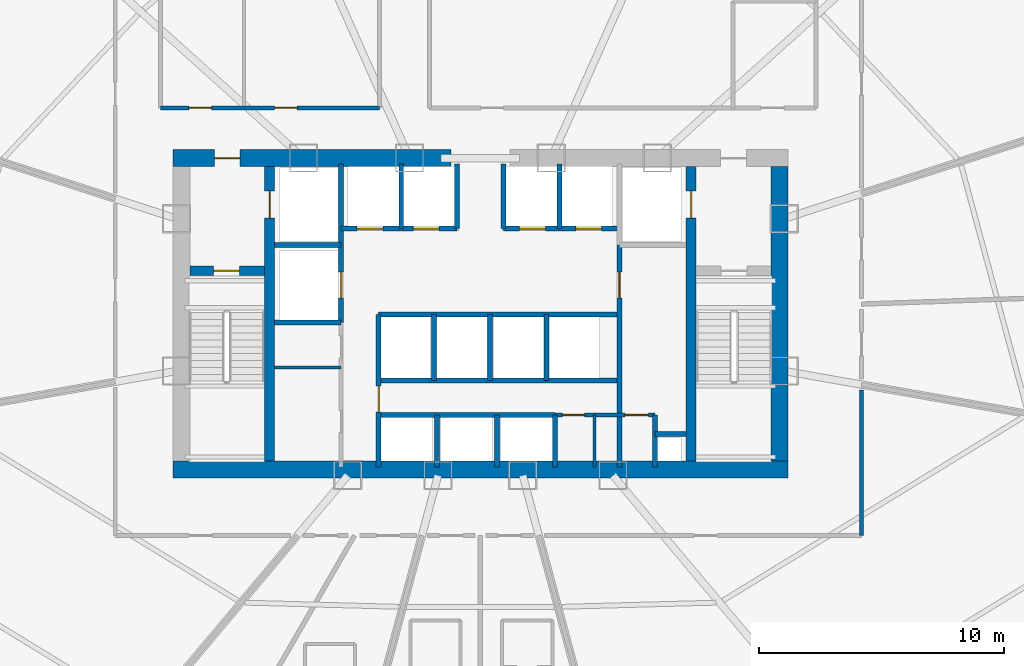
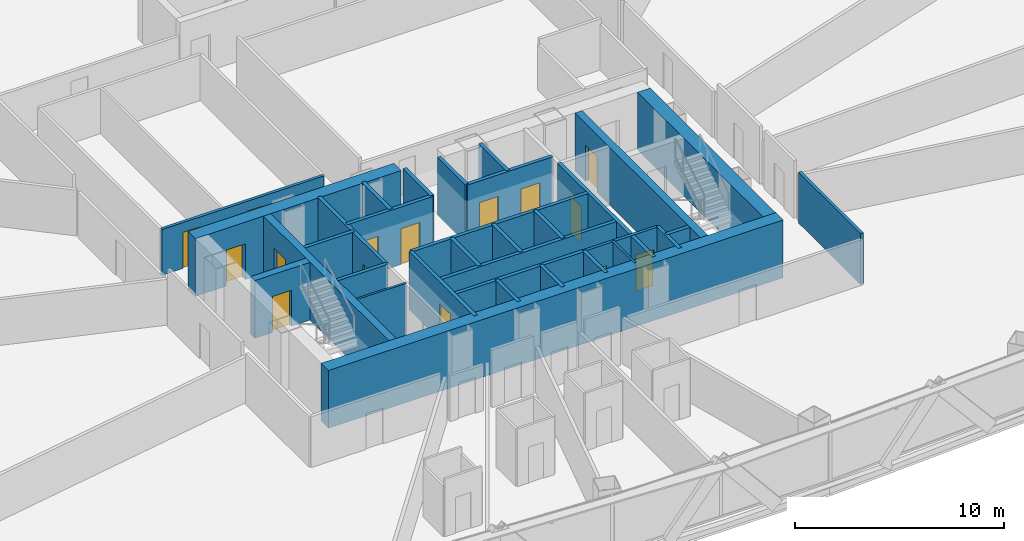
# One storey, part 33 of 40: 33 walls, 15 doors, 15 openings.
"""IFC4 building model written with IfcOpenShell, lengths in metres."""

from ifc_helpers import new_model, si_unit, direction, frame, frame_2d, origin, origin_with_axes, place, context, subcontext, project, spatial, rectangle, extrude, source, transform, mapped, material, layer, layer_set, type_object, element, fill, save


model = new_model("IFC4")

# Units and contexts
model_context = context("Model", 3, precision=1e-05, world=origin(), true_north=direction((0.0, 1.0)))
body_context = subcontext(model_context, "Body", "Model", "MODEL_VIEW")
ifc_project = project(units=[si_unit("LENGTHUNIT", "METRE"), si_unit("AREAUNIT", "SQUARE_METRE"), si_unit("VOLUMEUNIT", "CUBIC_METRE"), si_unit("PLANEANGLEUNIT", "RADIAN"), si_unit("MASSUNIT", "GRAM", prefix="KILO"), si_unit("THERMODYNAMICTEMPERATUREUNIT", "KELVIN"), si_unit("POWERUNIT", "WATT")], contexts=[model_context])

# Site, building, storey
site_placement = place(None, origin())
site = spatial("IfcSite", under=ifc_project, at=site_placement, CompositionType="ELEMENT")
building_placement = place(site_placement, origin())
building = spatial("IfcBuilding", under=site, at=building_placement, Name="Yunzhuo Pagoda Commons", CompositionType="ELEMENT")
storey_placement = place(building_placement, frame((0.0, 0.0, 66.699951171875)))
storey = spatial("IfcBuildingStorey", under=building, at=storey_placement, Name="L17", CompositionType="ELEMENT", Elevation=66.699951171875)

# Wall
ifc_material_1 = material(Name="Concrete C60", Category="concrete")
ifc_layer_1 = layer(ifc_material_1, 0.699951171875)
ifc_layer_set_1 = layer_set([ifc_layer_1], Name="Concrete C60")
wall_type_1 = type_object("IfcWallType", Name="W-C01 Lower Core Shear Wall 700", PredefinedType="SHEAR", material=ifc_layer_set_1)
wall_1_placement = place(storey_placement, frame((35.449951171875, 27.5, 0.0), z_axis=(0.0, 0.0, 1.0), x_axis=(1.0, 0.0, 0.0)))
element("IfcWall", 1, at=wall_1_placement, inside=storey, type_object=wall_type_1, Name="L17 core shear wall S", PredefinedType="SHEAR", context=body_context, shape_type="SweptSolid", body=[
    extrude(rectangle(XDim=25.10009765625, YDim=0.699951171875, at=frame_2d((12.550048828125, 0.0))), origin(), (0.0, 0.0, 1.0), 3.3701171875),
])

# Wall, opening, door
wall_2_placement = place(storey_placement, frame((35.449951171875, 40.199951171875, 0.0), z_axis=(0.0, 0.0, 1.0), x_axis=(1.0, 0.0, 0.0)))
wall_2 = element("IfcWall", 2, at=wall_2_placement, inside=storey, type_object=wall_type_1, Name="L17 core shear wall NW", PredefinedType="SHEAR", context=body_context, shape_type="SweptSolid", body=[
    extrude(rectangle(XDim=11.35009765625, YDim=0.699951171875, at=frame_2d((5.675048828125, 0.0))), origin(), (0.0, 0.0, 1.0), 3.3701171875),
])
opening_1_placement = place(wall_2_placement, frame((1.699951171875, 0.0, 0.0)))
opening_1 = element("IfcOpeningElement", 3, at=opening_1_placement, cuts=wall_2, Name="Opening D-02", PredefinedType="OPENING", context=body_context, shape_type="SweptSolid", body=[
    extrude(rectangle(XDim=1.050048828125, YDim=2.10009765625, at=frame_2d((0.52490234375, 1.050048828125))), frame((0.0, 0.35986328125, 0.0), z_axis=(0.0, -1.0, 0.0), x_axis=(1.0, 0.0, 0.0)), (0.0, 0.0, 1.0), 0.719970703125),
])
ifc_material_2 = material(Name="Galvanized fire-resisting metal leaf")
door_type_1 = type_object("IfcDoorType", Name="D-02 Firefighting Lobby & Refuge Fire Door 1050x2100", OperationType="NOTDEFINED", PredefinedType="DOOR", material=ifc_material_2)
shared_shape_1 = source(origin(), body_context, "Body", "SweptSolid", [
    extrude(rectangle(XDim=1.050048828125, YDim=2.10009765625, at=frame_2d((0.52490234375, 1.050048828125))), frame((0.0, 0.02490234375, 0.0), z_axis=(0.0, -1.0, 0.0), x_axis=(1.0, 0.0, 0.0)), (0.0, 0.0, 1.0), 0.050048828125),
])
door_1_placement = place(opening_1_placement, frame((1.050048828125, 0.0, 0.0), z_axis=(0.0, 0.0, 1.0), x_axis=(-1.0, 0.0, 0.0)))
door_1 = element("IfcDoor", 4, at=door_1_placement, inside=storey, type_object=door_type_1, Name="L17 Firefighting Lobby 1 fire door", OperationType="SINGLE_SWING_LEFT", OverallHeight=2.10009765625, OverallWidth=1.050048828125, PredefinedType="DOOR", context=body_context, shape_type="MappedRepresentation", body=[
    mapped(shared_shape_1, transform((0.0, 0.0, 0.0), scale=1.0)),
])
fill(opening_1, door_1)

# Wall
wall_3_placement = place(storey_placement, frame((60.199951171875, 27.85009765625, 0.0), z_axis=(0.0, 0.0, 1.0), x_axis=(0.0, 1.0, 0.0)))
element("IfcWall", 5, at=wall_3_placement, inside=storey, type_object=wall_type_1, Name="L17 core shear wall E", PredefinedType="SHEAR", context=body_context, shape_type="SweptSolid", body=[
    extrude(rectangle(XDim=12.0, YDim=0.699951171875, at=frame_2d((6.0, 0.0))), origin(), (0.0, 0.0, 1.0), 3.3701171875),
])

# Wall, openings, doors
ifc_material_3 = material(Name="Gypsum plasterboard on acoustic stud")
ifc_layer_2 = layer(ifc_material_3, 0.159912109375)
ifc_layer_set_2 = layer_set([ifc_layer_2], Name="Gypsum plasterboard on acoustic stud")
wall_type_2 = type_object("IfcWallType", Name="W-COR1 Tower Rated Corridor Wall 160", PredefinedType="PARTITIONING", material=ifc_layer_set_2)
wall_4_placement = place(storey_placement, frame((51.050048828125, 29.719970703125, 0.0), z_axis=(0.0, 0.0, 1.0), x_axis=(1.0, 0.0, 0.0)))
wall_4 = element("IfcWall", 6, at=wall_4_placement, inside=storey, type_object=wall_type_2, Name="L17 interior wall IW-L17-CSES", PredefinedType="PARTITIONING", context=body_context, shape_type="SweptSolid", body=[
    extrude(rectangle(XDim=4.070068359375, YDim=0.159912109375, at=frame_2d((2.03515625, 0.0))), origin(), (0.0, 0.0, 1.0), 3.3701171875),
])
opening_2_placement = place(wall_4_placement, frame((0.300048828125, 0.0, 0.0)))
opening_2 = element("IfcOpeningElement", 7, at=opening_2_placement, cuts=wall_4, Name="Opening D-03", PredefinedType="OPENING", context=body_context, shape_type="SweptSolid", body=[
    extrude(rectangle(XDim=0.89990234375, YDim=2.10009765625, at=frame_2d((0.449951171875, 1.050048828125))), frame((0.0, 0.08984375, 0.0), z_axis=(0.0, -1.0, 0.0), x_axis=(1.0, 0.0, 0.0)), (0.0, 0.0, 1.0), 0.179931640625),
])
opening_3_placement = place(wall_4_placement, frame((2.860107421875, 0.0, 0.0)))
opening_3 = element("IfcOpeningElement", 8, at=opening_3_placement, cuts=wall_4, Name="Opening D-11", PredefinedType="OPENING", context=body_context, shape_type="SweptSolid", body=[
    extrude(rectangle(XDim=0.93994140625, YDim=2.10009765625, at=frame_2d((0.469970703125, 1.050048828125))), frame((0.0, 0.08984375, 0.0), z_axis=(0.0, -1.0, 0.0), x_axis=(1.0, 0.0, 0.0)), (0.0, 0.0, 1.0), 0.179931640625),
])
door_type_2 = type_object("IfcDoorType", Name="D-03 Core Service Fire Door 900x2100", OperationType="NOTDEFINED", PredefinedType="DOOR", material=ifc_material_2)
shared_shape_2 = source(origin(), body_context, "Body", "SweptSolid", [
    extrude(rectangle(XDim=0.89990234375, YDim=2.10009765625, at=frame_2d((0.449951171875, 1.050048828125))), frame((0.0, 0.02490234375, 0.0), z_axis=(0.0, -1.0, 0.0), x_axis=(1.0, 0.0, 0.0)), (0.0, 0.0, 1.0), 0.050048828125),
])
door_2_placement = place(opening_2_placement, origin_with_axes())
door_2 = element("IfcDoor", 9, at=door_2_placement, inside=storey, type_object=door_type_2, Name="L17 cleaner door", OperationType="SINGLE_SWING_LEFT", OverallHeight=2.10009765625, OverallWidth=0.89990234375, PredefinedType="DOOR", context=body_context, shape_type="MappedRepresentation", body=[
    mapped(shared_shape_2, transform((0.0, 0.0, 0.0), scale=1.0)),
])
fill(opening_2, door_2)
door_type_3 = type_object("IfcDoorType", Name="D-11 Accessible Washroom Fire Door 940x2100", OperationType="NOTDEFINED", PredefinedType="DOOR", material=ifc_material_2)
shared_shape_3 = source(origin(), body_context, "Body", "SweptSolid", [
    extrude(rectangle(XDim=0.93994140625, YDim=2.10009765625, at=frame_2d((0.469970703125, 1.050048828125))), frame((0.0, 0.02490234375, 0.0), z_axis=(0.0, -1.0, 0.0), x_axis=(1.0, 0.0, 0.0)), (0.0, 0.0, 1.0), 0.050048828125),
])
door_3_placement = place(opening_3_placement, origin_with_axes())
door_3 = element("IfcDoor", 10, at=door_3_placement, inside=storey, type_object=door_type_3, Name="L17 core WC door", OperationType="SINGLE_SWING_RIGHT", OverallHeight=2.10009765625, OverallWidth=0.93994140625, PredefinedType="DOOR", context=body_context, shape_type="MappedRepresentation", body=[
    mapped(shared_shape_3, transform((0.0, 0.0, 0.0), scale=1.0)),
])
fill(opening_3, door_3)

wall_5_placement = place(storey_placement, frame((34.949951171875, 42.25, 0.0), z_axis=(0.0, 0.0, 1.0), x_axis=(1.0, 0.0, 0.0)))
wall_5 = element("IfcWall", 11, at=wall_5_placement, inside=storey, type_object=wall_type_2, Name="L17 interior wall IW-L17-ISLWS", PredefinedType="PARTITIONING", context=body_context, shape_type="SweptSolid", body=[
    extrude(rectangle(XDim=8.929931640625, YDim=0.159912109375, at=frame_2d((4.46484375, 0.0))), origin(), (0.0, 0.0, 1.0), 2.670166015625),
])
opening_4_placement = place(wall_5_placement, frame((1.14990234375, 0.0, 0.0)))
opening_4 = element("IfcOpeningElement", 12, at=opening_4_placement, cuts=wall_5, Name="Opening D-04", PredefinedType="OPENING", context=body_context, shape_type="SweptSolid", body=[
    extrude(rectangle(XDim=0.919921875, YDim=2.10009765625, at=frame_2d((0.4599609375, 1.050048828125))), frame((0.0, 0.08984375, 0.0), z_axis=(0.0, -1.0, 0.0), x_axis=(1.0, 0.0, 0.0)), (0.0, 0.0, 1.0), 0.179931640625),
])
opening_5_placement = place(wall_5_placement, frame((4.64990234375, 0.0, 0.0)))
opening_5 = element("IfcOpeningElement", 13, at=opening_5_placement, cuts=wall_5, Name="Opening D-04", PredefinedType="OPENING", context=body_context, shape_type="SweptSolid", body=[
    extrude(rectangle(XDim=0.919921875, YDim=2.10009765625, at=frame_2d((0.4599609375, 1.050048828125))), frame((0.0, 0.08984375, 0.0), z_axis=(0.0, -1.0, 0.0), x_axis=(1.0, 0.0, 0.0)), (0.0, 0.0, 1.0), 0.179931640625),
])
ifc_material_4 = material(Name="Powder-coated aluminium and timber acoustic leaf", Category="wood")
door_type_4 = type_object("IfcDoorType", Name="D-04 Bedroom & Study Interior Door 920x2100", OperationType="NOTDEFINED", PredefinedType="DOOR", material=ifc_material_4)
shared_shape_4 = source(origin(), body_context, "Body", "SweptSolid", [
    extrude(rectangle(XDim=0.919921875, YDim=2.10009765625, at=frame_2d((0.4599609375, 1.050048828125))), frame((0.0, 0.02490234375, 0.0), z_axis=(0.0, -1.0, 0.0), x_axis=(1.0, 0.0, 0.0)), (0.0, 0.0, 1.0), 0.050048828125),
])
door_4_placement = place(opening_4_placement, frame((0.919921875, 0.0, 0.0), z_axis=(0.0, 0.0, 1.0), x_axis=(-1.0, 0.0, 0.0)))
door_4 = element("IfcDoor", 14, at=door_4_placement, inside=storey, type_object=door_type_4, Name="L17 laundry door", OperationType="SINGLE_SWING_LEFT", OverallHeight=2.10009765625, OverallWidth=0.919921875, PredefinedType="DOOR", context=body_context, shape_type="MappedRepresentation", body=[
    mapped(shared_shape_4, transform((0.0, 0.0, 0.0), scale=1.0)),
])
fill(opening_4, door_4)
door_5_placement = place(opening_5_placement, frame((0.919921875, 0.0, 0.0), z_axis=(0.0, 0.0, 1.0), x_axis=(-1.0, 0.0, 0.0)))
door_5 = element("IfcDoor", 15, at=door_5_placement, inside=storey, type_object=door_type_4, Name="L17 study commons W door", OperationType="SINGLE_SWING_RIGHT", OverallHeight=2.10009765625, OverallWidth=0.919921875, PredefinedType="DOOR", context=body_context, shape_type="MappedRepresentation", body=[
    mapped(shared_shape_4, transform((0.0, 0.0, 0.0), scale=1.0)),
])
fill(opening_5, door_5)

# Walls
wall_6_placement = place(storey_placement, frame((63.550048828125, 30.734619140625, 0.0), z_axis=(0.0, 0.0, 1.0), x_axis=(0.0, -1.0, 0.0)))
element("IfcWall", 16, at=wall_6_placement, inside=storey, type_object=wall_type_2, Name="L17 interior wall IW-L17-CWL12", PredefinedType="PARTITIONING", context=body_context, shape_type="SweptSolid", body=[
    extrude(rectangle(XDim=5.9345703125, YDim=0.159912109375, at=frame_2d((2.96728515625, 0.0))), origin(), (0.0, 0.0, 1.0), 2.969970703125),
])
ifc_layer_3 = layer(ifc_material_3, 0.1201171875)
ifc_layer_set_3 = layer_set([ifc_layer_3], Name="Gypsum plasterboard on acoustic stud")
wall_type_3 = type_object("IfcWallType", Name="W-PRT1 Suite & Bathroom Partition 120", PredefinedType="PARTITIONING", material=ifc_layer_set_3)
wall_7_placement = place(storey_placement, frame((39.60009765625, 31.64990234375, 0.0), z_axis=(0.0, 0.0, 1.0), x_axis=(1.0, 0.0, 0.0)))
element("IfcWall", 17, at=wall_7_placement, inside=storey, type_object=wall_type_3, Name="L17 interior wall IW-L17-CD1", PredefinedType="PARTITIONING", context=body_context, shape_type="SweptSolid", body=[
    extrude(rectangle(XDim=2.719970703125, YDim=0.1201171875, at=frame_2d((1.35986328125, 0.0))), origin(), (0.0, 0.0, 1.0), 3.3701171875),
])
wall_8_placement = place(storey_placement, frame((52.64990234375, 27.60009765625, 0.0), z_axis=(0.0, 0.0, 1.0), x_axis=(0.0, 1.0, 0.0)))
element("IfcWall", 18, at=wall_8_placement, inside=storey, type_object=wall_type_3, Name="L17 interior wall IW-L17-CD2", PredefinedType="PARTITIONING", context=body_context, shape_type="SweptSolid", body=[
    extrude(rectangle(XDim=2.119873046875, YDim=0.1201171875, at=frame_2d((1.06005859375, 0.0))), origin(), (0.0, 0.0, 1.0), 3.3701171875),
])

# Wall, opening, door
ifc_layer_4 = layer(ifc_material_1, 0.39990234375)
ifc_layer_set_4 = layer_set([ifc_layer_4], Name="Concrete C60")
wall_type_4 = type_object("IfcWallType", Name="W-S01 Internal Core Shear Web 400", PredefinedType="SHEAR", material=ifc_layer_set_4)
wall_9_placement = place(storey_placement, frame((39.39990234375, 27.85009765625, 0.0), z_axis=(0.0, 0.0, 1.0), x_axis=(0.0, 1.0, 0.0)))
wall_9 = element("IfcWall", 19, at=wall_9_placement, inside=storey, type_object=wall_type_4, Name="L17 core shear wall WEBW", PredefinedType="SHEAR", context=body_context, shape_type="SweptSolid", body=[
    extrude(rectangle(XDim=12.0, YDim=0.39990234375, at=frame_2d((6.0, 0.0))), origin(), (0.0, 0.0, 1.0), 3.3701171875),
])
opening_6_placement = place(wall_9_placement, frame((9.89990234375, 0.0, 0.0)))
opening_6 = element("IfcOpeningElement", 20, at=opening_6_placement, cuts=wall_9, Name="Opening LD-01", PredefinedType="OPENING", context=body_context, shape_type="SweptSolid", body=[
    extrude(rectangle(XDim=1.10009765625, YDim=2.10009765625, at=frame_2d((0.550048828125, 1.050048828125))), frame((0.0, 0.2099609375, 0.0), z_axis=(0.0, -1.0, 0.0), x_axis=(1.0, 0.0, 0.0)), (0.0, 0.0, 1.0), 0.419921875),
])
door_type_5 = type_object("IfcDoorType", Name="LD-01 Firefighting Lift Landing Door 1100x2100", OperationType="DOUBLE_DOOR_SLIDING", PredefinedType="DOOR", material=ifc_material_2)
shared_shape_5 = source(origin(), body_context, "Body", "SweptSolid", [
    extrude(rectangle(XDim=1.10009765625, YDim=2.10009765625, at=frame_2d((0.550048828125, 1.050048828125))), frame((0.0, 0.02490234375, 0.0), z_axis=(0.0, -1.0, 0.0), x_axis=(1.0, 0.0, 0.0)), (0.0, 0.0, 1.0), 0.050048828125),
])
door_6_placement = place(opening_6_placement, frame((1.10009765625, 0.0, 0.0), z_axis=(0.0, 0.0, 1.0), x_axis=(-1.0, 0.0, 0.0)))
door_6 = element("IfcDoor", 21, at=door_6_placement, inside=storey, type_object=door_type_5, Name="L17 Firefighting lift FL-1 landing door", OperationType="DOUBLE_DOOR_SLIDING", OverallHeight=2.10009765625, OverallWidth=1.10009765625, PredefinedType="DOOR", context=body_context, shape_type="MappedRepresentation", body=[
    mapped(shared_shape_5, transform((0.0, 0.0, 0.0), scale=1.0)),
])
fill(opening_6, door_6)

wall_10_placement = place(storey_placement, frame((56.60009765625, 27.85009765625, 0.0), z_axis=(0.0, 0.0, 1.0), x_axis=(0.0, 1.0, 0.0)))
wall_10 = element("IfcWall", 22, at=wall_10_placement, inside=storey, type_object=wall_type_4, Name="L17 core shear wall WEBE", PredefinedType="SHEAR", context=body_context, shape_type="SweptSolid", body=[
    extrude(rectangle(XDim=12.0, YDim=0.39990234375, at=frame_2d((6.0, 0.0))), origin(), (0.0, 0.0, 1.0), 3.3701171875),
])
opening_7_placement = place(wall_10_placement, frame((9.89990234375, 0.0, 0.0)))
opening_7 = element("IfcOpeningElement", 23, at=opening_7_placement, cuts=wall_10, Name="Opening LD-01", PredefinedType="OPENING", context=body_context, shape_type="SweptSolid", body=[
    extrude(rectangle(XDim=1.10009765625, YDim=2.10009765625, at=frame_2d((0.550048828125, 1.050048828125))), frame((0.0, 0.2099609375, 0.0), z_axis=(0.0, -1.0, 0.0), x_axis=(1.0, 0.0, 0.0)), (0.0, 0.0, 1.0), 0.419921875),
])
door_7_placement = place(opening_7_placement, origin_with_axes())
door_7 = element("IfcDoor", 24, at=door_7_placement, inside=storey, type_object=door_type_5, Name="L17 Firefighting lift FL-2 landing door", OperationType="DOUBLE_DOOR_SLIDING", OverallHeight=2.10009765625, OverallWidth=1.10009765625, PredefinedType="DOOR", context=body_context, shape_type="MappedRepresentation", body=[
    mapped(shared_shape_5, transform((0.0, 0.0, 0.0), scale=1.0)),
])
fill(opening_7, door_7)

wall_11_placement = place(storey_placement, frame((36.14990234375, 35.60009765625, 0.0), z_axis=(0.0, 0.0, 1.0), x_axis=(1.0, 0.0, 0.0)))
wall_11 = element("IfcWall", 25, at=wall_11_placement, inside=storey, type_object=wall_type_4, Name="L17 core shear wall STW", PredefinedType="SHEAR", context=body_context, shape_type="SweptSolid", body=[
    extrude(rectangle(XDim=3.050048828125, YDim=0.39990234375, at=frame_2d((1.52490234375, 0.0))), origin(), (0.0, 0.0, 1.0), 3.3701171875),
])
opening_8_placement = place(wall_11_placement, frame((0.969970703125, 0.0, 0.0)))
opening_8 = element("IfcOpeningElement", 26, at=opening_8_placement, cuts=wall_11, Name="Opening D-01", PredefinedType="OPENING", context=body_context, shape_type="SweptSolid", body=[
    extrude(rectangle(XDim=1.050048828125, YDim=2.10009765625, at=frame_2d((0.52490234375, 1.050048828125))), frame((0.0, 0.2099609375, 0.0), z_axis=(0.0, -1.0, 0.0), x_axis=(1.0, 0.0, 0.0)), (0.0, 0.0, 1.0), 0.419921875),
])
door_type_6 = type_object("IfcDoorType", Name="D-01 Smokeproof Stair Fire Door 1050x2100", OperationType="NOTDEFINED", PredefinedType="DOOR", material=ifc_material_2)
door_8_placement = place(opening_8_placement, frame((1.050048828125, 0.0, 0.0), z_axis=(0.0, 0.0, 1.0), x_axis=(-1.0, 0.0, 0.0)))
door_8 = element("IfcDoor", 27, at=door_8_placement, inside=storey, type_object=door_type_6, Name="L17 Stair ST1 fire door", OperationType="SINGLE_SWING_LEFT", OverallHeight=2.10009765625, OverallWidth=1.050048828125, PredefinedType="DOOR", context=body_context, shape_type="MappedRepresentation", body=[
    mapped(shared_shape_1, transform((0.0, 0.0, 0.0), scale=1.0)),
])
fill(opening_8, door_8)

ifc_material_5 = material(Name="Concrete C40", Category="concrete")
ifc_layer_5 = layer(ifc_material_5, 0.199951171875)
ifc_layer_set_5 = layer_set([ifc_layer_5], Name="Concrete C40")
wall_type_5 = type_object("IfcWallType", Name="W-SHF Shaft & Stair Enclosure Wall 200", PredefinedType="SOLIDWALL", material=ifc_layer_set_5)
wall_12_placement = place(storey_placement, frame((42.320068359375, 33.5, 0.0), z_axis=(0.0, 0.0, 1.0), x_axis=(0.0, 1.0, 0.0)))
wall_12 = element("IfcWall", 28, at=wall_12_placement, inside=storey, type_object=wall_type_5, Name="L17 interior wall IW-L17-FL1E", PredefinedType="SOLIDWALL", context=body_context, shape_type="SweptSolid", body=[
    extrude(rectangle(XDim=6.449951171875, YDim=0.199951171875, at=frame_2d((3.22509765625, 0.0))), origin(), (0.0, 0.0, 1.0), 3.3701171875),
])
opening_9_placement = place(wall_12_placement, frame((1.0, 0.0, 0.0)))
opening_9 = element("IfcOpeningElement", 29, at=opening_9_placement, cuts=wall_12, Name="Opening LD-02", PredefinedType="OPENING", context=body_context, shape_type="SweptSolid", body=[
    extrude(rectangle(XDim=1.050048828125, YDim=2.10009765625, at=frame_2d((0.52490234375, 1.050048828125))), frame((0.0, 0.10986328125, 0.0), z_axis=(0.0, -1.0, 0.0), x_axis=(1.0, 0.0, 0.0)), (0.0, 0.0, 1.0), 0.219970703125),
])
door_type_7 = type_object("IfcDoorType", Name="LD-02 Passenger Lift Landing Door 1050x2100", OperationType="DOUBLE_DOOR_SLIDING", PredefinedType="DOOR", material=ifc_material_2)
door_9_placement = place(opening_9_placement, origin_with_axes())
door_9 = element("IfcDoor", 30, at=door_9_placement, inside=storey, type_object=door_type_7, Name="L17 Service lift SL-1 landing door", OperationType="DOUBLE_DOOR_SLIDING", OverallHeight=2.10009765625, OverallWidth=1.050048828125, PredefinedType="DOOR", context=body_context, shape_type="MappedRepresentation", body=[
    mapped(shared_shape_1, transform((0.0, 0.0, 0.0), scale=1.0)),
])
fill(opening_9, door_9)

# Walls
for number, where, z_axis, x_axis, name in (
    (31, (39.60009765625, 36.64990234375, 0.0), (0.0, 0.0, 1.0), (1.0, 0.0, 0.0), "L17 interior wall IW-L17-FL1S"),
    (32, (39.60009765625, 33.5, 0.0), (0.0, 0.0, 1.0), (1.0, 0.0, 0.0), "L17 interior wall IW-L17-SL1S"),
):
    element("IfcWall", number, at=place(storey_placement, frame(where, z_axis=z_axis, x_axis=x_axis)), inside=storey, type_object=wall_type_5, Name=name, PredefinedType="SOLIDWALL", context=body_context, shape_type="SweptSolid", body=[
        extrude(rectangle(XDim=2.719970703125, YDim=0.199951171875, at=frame_2d((1.35986328125, 0.0))), origin(), (0.0, 0.0, 1.0), 3.3701171875),
    ])

# Wall, openings, doors
wall_13_placement = place(storey_placement, frame((42.320068359375, 37.320068359375, 0.0), z_axis=(0.0, 0.0, 1.0), x_axis=(1.0, 0.0, 0.0)))
wall_13 = element("IfcWall", 33, at=wall_13_placement, inside=storey, type_object=wall_type_5, Name="L17 interior wall IW-L17-LBNW", PredefinedType="SOLIDWALL", context=body_context, shape_type="SweptSolid", body=[
    extrude(rectangle(XDim=4.72998046875, YDim=0.199951171875, at=frame_2d((2.364990234375, 0.0))), origin(), (0.0, 0.0, 1.0), 3.3701171875),
])
opening_10_placement = place(wall_13_placement, frame((0.64990234375, 0.0, 0.0)))
opening_10 = element("IfcOpeningElement", 34, at=opening_10_placement, cuts=wall_13, Name="Opening LD-02", PredefinedType="OPENING", context=body_context, shape_type="SweptSolid", body=[
    extrude(rectangle(XDim=1.050048828125, YDim=2.10009765625, at=frame_2d((0.52490234375, 1.050048828125))), frame((0.0, 0.10986328125, 0.0), z_axis=(0.0, -1.0, 0.0), x_axis=(1.0, 0.0, 0.0)), (0.0, 0.0, 1.0), 0.219970703125),
])
opening_11_placement = place(wall_13_placement, frame((2.949951171875, 0.0, 0.0)))
opening_11 = element("IfcOpeningElement", 35, at=opening_11_placement, cuts=wall_13, Name="Opening LD-02", PredefinedType="OPENING", context=body_context, shape_type="SweptSolid", body=[
    extrude(rectangle(XDim=1.050048828125, YDim=2.10009765625, at=frame_2d((0.52490234375, 1.050048828125))), frame((0.0, 0.10986328125, 0.0), z_axis=(0.0, -1.0, 0.0), x_axis=(1.0, 0.0, 0.0)), (0.0, 0.0, 1.0), 0.219970703125),
])
door_10_placement = place(opening_10_placement, frame((1.050048828125, 0.0, 0.0), z_axis=(0.0, 0.0, 1.0), x_axis=(-1.0, 0.0, 0.0)))
door_10 = element("IfcDoor", 36, at=door_10_placement, inside=storey, type_object=door_type_7, Name="L17 Passenger lift PL-L1 landing door", OperationType="DOUBLE_DOOR_SLIDING", OverallHeight=2.10009765625, OverallWidth=1.050048828125, PredefinedType="DOOR", context=body_context, shape_type="MappedRepresentation", body=[
    mapped(shared_shape_1, transform((0.0, 0.0, 0.0), scale=1.0)),
])
fill(opening_10, door_10)
door_11_placement = place(opening_11_placement, frame((1.050048828125, 0.0, 0.0), z_axis=(0.0, 0.0, 1.0), x_axis=(-1.0, 0.0, 0.0)))
door_11 = element("IfcDoor", 37, at=door_11_placement, inside=storey, type_object=door_type_7, Name="L17 Passenger lift PL-L2 landing door", OperationType="DOUBLE_DOOR_SLIDING", OverallHeight=2.10009765625, OverallWidth=1.050048828125, PredefinedType="DOOR", context=body_context, shape_type="MappedRepresentation", body=[
    mapped(shared_shape_1, transform((0.0, 0.0, 0.0), scale=1.0)),
])
fill(opening_11, door_11)

wall_14_placement = place(storey_placement, frame((48.949951171875, 37.320068359375, 0.0), z_axis=(0.0, 0.0, 1.0), x_axis=(1.0, 0.0, 0.0)))
wall_14 = element("IfcWall", 38, at=wall_14_placement, inside=storey, type_object=wall_type_5, Name="L17 interior wall IW-L17-LBNE", PredefinedType="SOLIDWALL", context=body_context, shape_type="SweptSolid", body=[
    extrude(rectangle(XDim=4.72998046875, YDim=0.199951171875, at=frame_2d((2.364990234375, 0.0))), origin(), (0.0, 0.0, 1.0), 3.3701171875),
])
opening_12_placement = place(wall_14_placement, frame((0.64990234375, 0.0, 0.0)))
opening_12 = element("IfcOpeningElement", 39, at=opening_12_placement, cuts=wall_14, Name="Opening LD-02", PredefinedType="OPENING", context=body_context, shape_type="SweptSolid", body=[
    extrude(rectangle(XDim=1.050048828125, YDim=2.10009765625, at=frame_2d((0.52490234375, 1.050048828125))), frame((0.0, 0.10986328125, 0.0), z_axis=(0.0, -1.0, 0.0), x_axis=(1.0, 0.0, 0.0)), (0.0, 0.0, 1.0), 0.219970703125),
])
opening_13_placement = place(wall_14_placement, frame((2.949951171875, 0.0, 0.0)))
opening_13 = element("IfcOpeningElement", 40, at=opening_13_placement, cuts=wall_14, Name="Opening LD-02", PredefinedType="OPENING", context=body_context, shape_type="SweptSolid", body=[
    extrude(rectangle(XDim=1.050048828125, YDim=2.10009765625, at=frame_2d((0.52490234375, 1.050048828125))), frame((0.0, 0.10986328125, 0.0), z_axis=(0.0, -1.0, 0.0), x_axis=(1.0, 0.0, 0.0)), (0.0, 0.0, 1.0), 0.219970703125),
])
door_12_placement = place(opening_12_placement, frame((1.050048828125, 0.0, 0.0), z_axis=(0.0, 0.0, 1.0), x_axis=(-1.0, 0.0, 0.0)))
door_12 = element("IfcDoor", 41, at=door_12_placement, inside=storey, type_object=door_type_7, Name="L17 Passenger lift PL-L3 landing door", OperationType="DOUBLE_DOOR_SLIDING", OverallHeight=2.10009765625, OverallWidth=1.050048828125, PredefinedType="DOOR", context=body_context, shape_type="MappedRepresentation", body=[
    mapped(shared_shape_1, transform((0.0, 0.0, 0.0), scale=1.0)),
])
fill(opening_12, door_12)
door_13_placement = place(opening_13_placement, frame((1.050048828125, 0.0, 0.0), z_axis=(0.0, 0.0, 1.0), x_axis=(-1.0, 0.0, 0.0)))
door_13 = element("IfcDoor", 42, at=door_13_placement, inside=storey, type_object=door_type_7, Name="L17 Passenger lift PL-L4 landing door", OperationType="DOUBLE_DOOR_SLIDING", OverallHeight=2.10009765625, OverallWidth=1.050048828125, PredefinedType="DOOR", context=body_context, shape_type="MappedRepresentation", body=[
    mapped(shared_shape_1, transform((0.0, 0.0, 0.0), scale=1.0)),
])
fill(opening_13, door_13)

# Walls
for number, where, z_axis, x_axis, name in (
    (43, (47.050048828125, 37.320068359375, 0.0), (0.0, 0.0, 1.0), (0.0, 1.0, 0.0), "L17 interior wall IW-L17-THRW"),
    (44, (48.949951171875, 37.320068359375, 0.0), (0.0, 0.0, 1.0), (0.0, 1.0, 0.0), "L17 interior wall IW-L17-THRE"),
    (45, (44.77001953125, 37.320068359375, 0.0), (0.0, 0.0, 1.0), (0.0, 1.0, 0.0), "L17 interior wall IW-L17-PLL12"),
    (46, (51.22998046875, 37.320068359375, 0.0), (0.0, 0.0, 1.0), (0.0, 1.0, 0.0), "L17 interior wall IW-L17-PLL34"),
):
    element("IfcWall", number, at=place(storey_placement, frame(where, z_axis=z_axis, x_axis=x_axis)), inside=storey, type_object=wall_type_5, Name=name, PredefinedType="SOLIDWALL", context=body_context, shape_type="SweptSolid", body=[
        extrude(rectangle(XDim=2.6298828125, YDim=0.199951171875, at=frame_2d((1.31494140625, 0.0))), origin(), (0.0, 0.0, 1.0), 3.3701171875),
    ])
wall_15_placement = place(storey_placement, frame((43.85009765625, 33.820068359375, 0.0), z_axis=(0.0, 0.0, 1.0), x_axis=(1.0, 0.0, 0.0)))
element("IfcWall", 47, at=wall_15_placement, inside=storey, type_object=wall_type_5, Name="L17 interior wall IW-L17-MLBS", PredefinedType="SOLIDWALL", context=body_context, shape_type="SweptSolid", body=[
    extrude(rectangle(XDim=9.829833984375, YDim=0.199951171875, at=frame_2d((4.9150390625, 0.0))), origin(), (0.0, 0.0, 1.0), 3.3701171875),
])

# Wall, opening, door
wall_16_placement = place(storey_placement, frame((43.85009765625, 27.60009765625, 0.0), z_axis=(0.0, 0.0, 1.0), x_axis=(0.0, 1.0, 0.0)))
wall_16 = element("IfcWall", 48, at=wall_16_placement, inside=storey, type_object=wall_type_5, Name="L17 interior wall IW-L17-PLMW", PredefinedType="SOLIDWALL", context=body_context, shape_type="SweptSolid", body=[
    extrude(rectangle(XDim=6.219970703125, YDim=0.199951171875, at=frame_2d((3.10986328125, 0.0))), origin(), (0.0, 0.0, 1.0), 3.3701171875),
])
opening_14_placement = place(wall_16_placement, frame((2.25, 0.0, 0.0)))
opening_14 = element("IfcOpeningElement", 49, at=opening_14_placement, cuts=wall_16, Name="Opening D-02", PredefinedType="OPENING", context=body_context, shape_type="SweptSolid", body=[
    extrude(rectangle(XDim=1.050048828125, YDim=2.10009765625, at=frame_2d((0.52490234375, 1.050048828125))), frame((0.0, 0.10986328125, 0.0), z_axis=(0.0, -1.0, 0.0), x_axis=(1.0, 0.0, 0.0)), (0.0, 0.0, 1.0), 0.219970703125),
])
door_14_placement = place(opening_14_placement, frame((1.050048828125, 0.0, 0.0), z_axis=(0.0, 0.0, 1.0), x_axis=(-1.0, 0.0, 0.0)))
door_14 = element("IfcDoor", 50, at=door_14_placement, inside=storey, type_object=door_type_1, Name="L17 High-bank hall west door", OperationType="SINGLE_SWING_LEFT", OverallHeight=2.10009765625, OverallWidth=1.050048828125, PredefinedType="DOOR", context=body_context, shape_type="MappedRepresentation", body=[
    mapped(shared_shape_1, transform((0.0, 0.0, 0.0), scale=1.0)),
])
fill(opening_14, door_14)

wall_17_placement = place(storey_placement, frame((53.679931640625, 27.60009765625, 0.0), z_axis=(0.0, 0.0, 1.0), x_axis=(0.0, 1.0, 0.0)))
wall_17 = element("IfcWall", 51, at=wall_17_placement, inside=storey, type_object=wall_type_5, Name="L17 interior wall IW-L17-PLME", PredefinedType="SOLIDWALL", context=body_context, shape_type="SweptSolid", body=[
    extrude(rectangle(XDim=9.0498046875, YDim=0.199951171875, at=frame_2d((4.52490234375, 0.0))), origin(), (0.0, 0.0, 1.0), 3.3701171875),
])
opening_15_placement = place(wall_17_placement, frame((6.89990234375, 0.0, 0.0)))
opening_15 = element("IfcOpeningElement", 52, at=opening_15_placement, cuts=wall_17, Name="Opening D-02", PredefinedType="OPENING", context=body_context, shape_type="SweptSolid", body=[
    extrude(rectangle(XDim=1.050048828125, YDim=2.10009765625, at=frame_2d((0.52490234375, 1.050048828125))), frame((0.0, 0.10986328125, 0.0), z_axis=(0.0, -1.0, 0.0), x_axis=(1.0, 0.0, 0.0)), (0.0, 0.0, 1.0), 0.219970703125),
])
door_15_placement = place(opening_15_placement, origin_with_axes())
door_15 = element("IfcDoor", 53, at=door_15_placement, inside=storey, type_object=door_type_1, Name="L17 High-bank lift hall door", OperationType="SINGLE_SWING_RIGHT", OverallHeight=2.10009765625, OverallWidth=1.050048828125, PredefinedType="DOOR", context=body_context, shape_type="MappedRepresentation", body=[
    mapped(shared_shape_1, transform((0.0, 0.0, 0.0), scale=1.0)),
])
fill(opening_15, door_15)

# Walls
for number, where, z_axis, x_axis, name in (
    (54, (46.10009765625, 31.1201171875, 0.0), (0.0, 0.0, 1.0), (0.0, 1.0, 0.0), "L17 interior wall IW-L17-PLMD1"),
    (55, (48.39990234375, 31.1201171875, 0.0), (0.0, 0.0, 1.0), (0.0, 1.0, 0.0), "L17 interior wall IW-L17-PLMD2"),
    (56, (50.699951171875, 31.1201171875, 0.0), (0.0, 0.0, 1.0), (0.0, 1.0, 0.0), "L17 interior wall IW-L17-PLMD3"),
):
    element("IfcWall", number, at=place(storey_placement, frame(where, z_axis=z_axis, x_axis=x_axis)), inside=storey, type_object=wall_type_5, Name=name, PredefinedType="SOLIDWALL", context=body_context, shape_type="SweptSolid", body=[
        extrude(rectangle(XDim=2.699951171875, YDim=0.199951171875, at=frame_2d((1.35009765625, 0.0))), origin(), (0.0, 0.0, 1.0), 3.3701171875),
    ])
wall_18_placement = place(storey_placement, frame((43.85009765625, 29.719970703125, 0.0), z_axis=(0.0, 0.0, 1.0), x_axis=(1.0, 0.0, 0.0)))
element("IfcWall", 57, at=wall_18_placement, inside=storey, type_object=wall_type_5, Name="L17 interior wall IW-L17-PLHN", PredefinedType="SOLIDWALL", context=body_context, shape_type="SweptSolid", body=[
    extrude(rectangle(XDim=7.199951171875, YDim=0.199951171875, at=frame_2d((3.60009765625, 0.0))), origin(), (0.0, 0.0, 1.0), 3.3701171875),
])
wall_19_placement = place(storey_placement, frame((51.050048828125, 27.60009765625, 0.0), z_axis=(0.0, 0.0, 1.0), x_axis=(0.0, 1.0, 0.0)))
element("IfcWall", 58, at=wall_19_placement, inside=storey, type_object=wall_type_5, Name="L17 interior wall IW-L17-PLHE", PredefinedType="SOLIDWALL", context=body_context, shape_type="SweptSolid", body=[
    extrude(rectangle(XDim=2.119873046875, YDim=0.199951171875, at=frame_2d((1.06005859375, 0.0))), origin(), (0.0, 0.0, 1.0), 3.3701171875),
])
wall_20_placement = place(storey_placement, frame((43.85009765625, 31.1201171875, 0.0), z_axis=(0.0, 0.0, 1.0), x_axis=(1.0, 0.0, 0.0)))
element("IfcWall", 59, at=wall_20_placement, inside=storey, type_object=wall_type_5, Name="L17 interior wall IW-L17-PLMS2", PredefinedType="SOLIDWALL", context=body_context, shape_type="SweptSolid", body=[
    extrude(rectangle(XDim=9.829833984375, YDim=0.199951171875, at=frame_2d((4.9150390625, 0.0))), origin(), (0.0, 0.0, 1.0), 3.3701171875),
])
for number, where, z_axis, x_axis, name in (
    (60, (46.22509765625, 27.60009765625, 0.0), (0.0, 0.0, 1.0), (0.0, 1.0, 0.0), "L17 interior wall IW-L17-PLHD1"),
    (61, (48.675048828125, 27.60009765625, 0.0), (0.0, 0.0, 1.0), (0.0, 1.0, 0.0), "L17 interior wall IW-L17-PLHD2"),
    (62, (55.1201171875, 27.60009765625, 0.0), (0.0, 0.0, 1.0), (0.0, 1.0, 0.0), "L17 interior wall IW-L17-RSHFW"),
):
    element("IfcWall", number, at=place(storey_placement, frame(where, z_axis=z_axis, x_axis=x_axis)), inside=storey, type_object=wall_type_5, Name=name, PredefinedType="SOLIDWALL", context=body_context, shape_type="SweptSolid", body=[
        extrude(rectangle(XDim=2.119873046875, YDim=0.199951171875, at=frame_2d((1.06005859375, 0.0))), origin(), (0.0, 0.0, 1.0), 3.3701171875),
    ])
wall_21_placement = place(storey_placement, frame((55.1201171875, 28.949951171875, 0.0), z_axis=(0.0, 0.0, 1.0), x_axis=(1.0, 0.0, 0.0)))
element("IfcWall", 63, at=wall_21_placement, inside=storey, type_object=wall_type_5, Name="L17 interior wall IW-L17-RSHFN", PredefinedType="SOLIDWALL", context=body_context, shape_type="SweptSolid", body=[
    extrude(rectangle(XDim=1.27978515625, YDim=0.199951171875, at=frame_2d((0.639892578125, 0.0))), origin(), (0.0, 0.0, 1.0), 3.3701171875),
])

save(model, "model.ifc")
